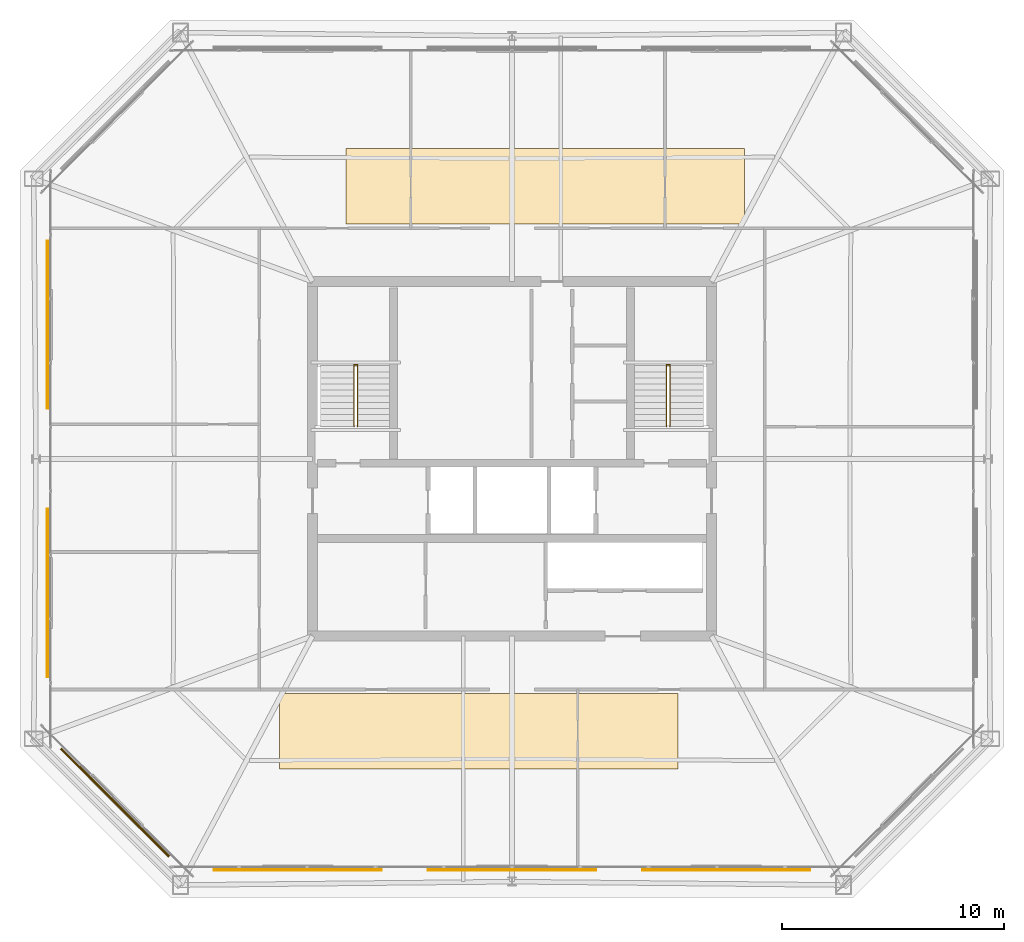
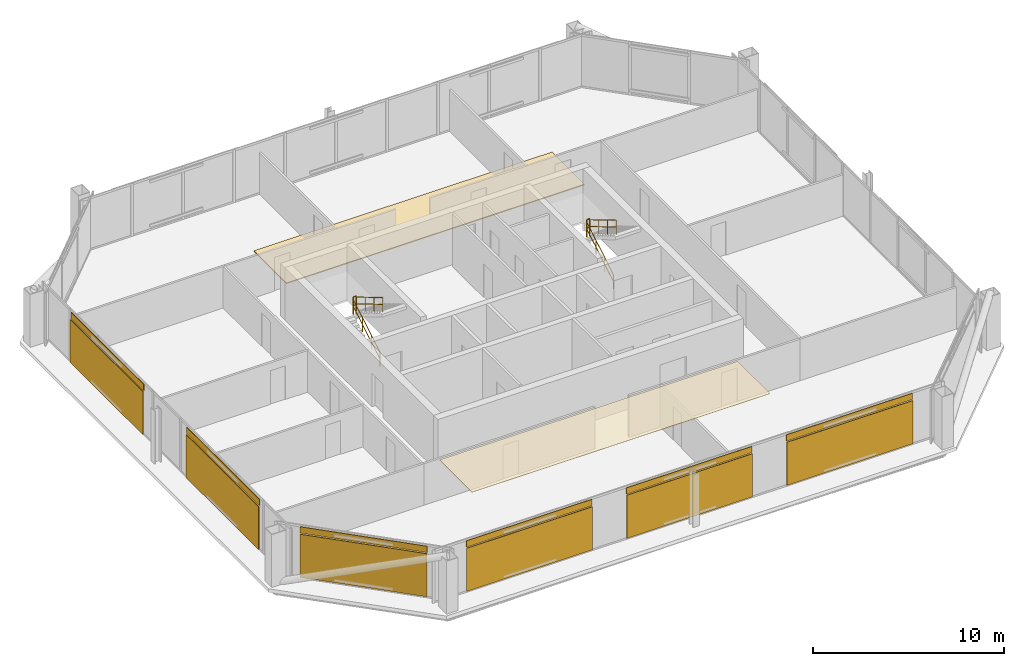
# One storey, part 38 of 39: 8 coverings, 6 railings, 6 shading devices.
"""IFC4 building model written with IfcOpenShell, lengths in metres."""

import ifcopenshell
import ifcopenshell.guid

model = None  # the IFC model being written
_history = None  # IfcOwnerHistory: only IFC2X3 demands one
_inside = {}  # id of a spatial element -> (the spatial element, [elements in it])
_under = {}  # id of a project, library or spatial element -> (it, [spatial elements below it])
_declared = {}  # id of a project -> (the project, [libraries it declares])
_typed = {}  # id of a type object -> (the type object, [elements of that type])
_made_of = {}  # id of a material, layer set ... -> (it, [elements and type objects made of it])


def new_model(schema):
    """Start an empty IFC model of exactly this schema.

    Asked for "IFC4X3", IfcOpenShell would pick the latest addendum, in which some entities
    have other attributes; the version numbers below select the first issue.
    IFC2X3 requires an IfcOwnerHistory on every rooted entity: one is made here for all.
    """
    global model, _history
    if schema == "IFC4X3":
        model = ifcopenshell.file(schema_version=(4, 3, 0, 0))
    else:
        model = ifcopenshell.file(schema=schema)
    _inside.clear()
    _under.clear()
    _declared.clear()
    _typed.clear()
    _made_of.clear()
    _history = None
    if model.schema == "IFC2X3":
        org = make("IfcOrganization", Name="unknown")
        user = make(
            "IfcPersonAndOrganization",
            ThePerson=make("IfcPerson", FamilyName="unknown"),
            TheOrganization=org,
        )
        app = make(
            "IfcApplication",
            ApplicationDeveloper=org,
            Version="unknown",
            ApplicationFullName="unknown",
            ApplicationIdentifier="unknown",
        )
        _history = make(
            "IfcOwnerHistory",
            OwningUser=user,
            OwningApplication=app,
            ChangeAction="ADDED",
            CreationDate=0,
        )
    return model


def make(cls, **values):
    """One entity of the class cls with the attributes given. An attribute that is None is left unset."""
    return model.create_entity(
        cls, **{name: value for name, value in values.items() if value is not None}
    )


def rooted(cls, **values):
    """An entity with a GlobalId (a new one), such as an element, a storey or a relation."""
    return make(cls, GlobalId=ifcopenshell.guid.new(), OwnerHistory=_history, **values)


def si_unit(unit_type, name, prefix=None):
    """IfcSIUnit, for example si_unit("LENGTHUNIT", "METRE", prefix="MILLI")."""
    return make("IfcSIUnit", UnitType=unit_type, Prefix=prefix, Name=name)


def assignment(units):
    """IfcUnitAssignment: the units of a project."""
    return None if units is None else make("IfcUnitAssignment", Units=units)


def point(xyz):
    """IfcCartesianPoint."""
    return None if xyz is None else make("IfcCartesianPoint", Coordinates=xyz)


def direction(xyz):
    """IfcDirection."""
    return None if xyz is None else make("IfcDirection", DirectionRatios=xyz)


def frame(location, z_axis=None, x_axis=None):
    """IfcAxis2Placement3D, a coordinate frame: its origin and axes. An axis left out is left unset."""
    return make(
        "IfcAxis2Placement3D",
        Location=point(location),
        Axis=direction(z_axis),
        RefDirection=direction(x_axis),
    )


def frame_2d(location, x_axis=None):
    """IfcAxis2Placement2D, a coordinate frame in the plane: its origin and x axis."""
    return make(
        "IfcAxis2Placement2D", Location=point(location), RefDirection=direction(x_axis)
    )


def origin():
    """The frame at (0, 0, 0) with its axes left unset."""
    return frame((0.0, 0.0, 0.0))


def origin_2d():
    """The frame at (0, 0) in the plane with its x axis left unset."""
    return frame_2d((0.0, 0.0))


def place(relative_to, where):
    """IfcLocalPlacement: puts the frame where relative to a parent placement (None: the world)."""
    return make(
        "IfcLocalPlacement", PlacementRelTo=relative_to, RelativePlacement=where
    )


def context(
    kind, dimensions, precision=None, world=None, true_north=None, identifier=None
):
    """IfcGeometricRepresentationContext, for example the 3D "Model" context."""
    return make(
        "IfcGeometricRepresentationContext",
        ContextIdentifier=identifier,
        ContextType=kind,
        CoordinateSpaceDimension=dimensions,
        Precision=precision,
        WorldCoordinateSystem=world,
        TrueNorth=true_north,
    )


def subcontext(parent, identifier, kind, view, scale=None):
    """IfcGeometricRepresentationSubContext, for example "Body" below "Model"."""
    return make(
        "IfcGeometricRepresentationSubContext",
        ContextIdentifier=identifier,
        ContextType=kind,
        ParentContext=parent,
        TargetScale=scale,
        TargetView=view,
    )


def project(units=None, contexts=None):
    """IfcProject with its units and contexts."""
    return rooted(
        "IfcProject",
        Name="project",
        RepresentationContexts=contexts,
        UnitsInContext=assignment(units),
    )


def spatial(cls, under=None, at=None, **own):
    """A site, building, storey or space (cls), placed at a placement, below another one or the project."""
    s = rooted(cls, ObjectPlacement=at, **own)
    if under is not None:
        _under.setdefault(under.id(), (under, []))[1].append(s)
    return s


def polyline(points):
    """IfcPolyline through the points."""
    return make("IfcPolyline", Points=[point(p) for p in points])


def profile(cls, at=None, kind="AREA", **sizes):
    """A parametric profile (cls). Its sizes go by their IFC names, for example OverallWidth=200.0."""
    return make(cls, ProfileType=kind, Position=at, **sizes)


def rectangle(**sizes):
    """IfcRectangleProfileDef."""
    return profile("IfcRectangleProfileDef", **sizes)


def circle(**sizes):
    """IfcCircleProfileDef."""
    return profile("IfcCircleProfileDef", **sizes)


def outline(outer, holes=None, kind="AREA"):
    """IfcArbitraryClosedProfileDef: a profile drawn as a closed curve; with holes, ...WithVoids."""
    if holes is None:
        return make("IfcArbitraryClosedProfileDef", ProfileType=kind, OuterCurve=outer)
    return make(
        "IfcArbitraryProfileDefWithVoids",
        ProfileType=kind,
        OuterCurve=outer,
        InnerCurves=holes,
    )


def extrude(swept, where, along, depth):
    """IfcExtrudedAreaSolid: the profile swept, set in the frame where, extruded along a direction by depth."""
    return make(
        "IfcExtrudedAreaSolid",
        SweptArea=swept,
        Position=where,
        ExtrudedDirection=direction(along),
        Depth=depth,
    )


def shape(context_of_items, identifier, shape_type, items):
    """IfcShapeRepresentation: the items that make up one representation, for example the "Body"."""
    return make(
        "IfcShapeRepresentation",
        ContextOfItems=context_of_items,
        RepresentationIdentifier=identifier,
        RepresentationType=shape_type,
        Items=items,
    )


def material(Name=None, Category=None):
    """IfcMaterial."""
    return make("IfcMaterial", Name=Name, Category=Category)


def layer(
    of_material, thickness, ventilated=None, Name=None, Category=None, Priority=None
):
    """IfcMaterialLayer: one layer of a wall or slab, of a material (None: an air gap)."""
    return make(
        "IfcMaterialLayer",
        Material=of_material,
        LayerThickness=thickness,
        IsVentilated=ventilated,
        Name=Name,
        Category=Category,
        Priority=Priority,
    )


def layer_set(layers, Name=None):
    """IfcMaterialLayerSet."""
    return make("IfcMaterialLayerSet", MaterialLayers=layers, LayerSetName=Name)


def made_of(thing, what):
    """Note that an element or type object is made of a material, layer set ...; save() writes the relation."""
    if what is not None:
        _made_of.setdefault(what.id(), (what, []))[1].append(thing)
    return thing


def type_object(cls, material=None, **own):
    """A type object (cls), such as IfcWallType, which elements share."""
    return made_of(rooted(cls, **own), material)


def element(
    cls,
    number,
    at=None,
    inside=None,
    cuts=None,
    type_object=None,
    material=None,
    context=None,
    identifier="Body",
    shape_type=None,
    held_by="IfcProductDefinitionShape",
    body=None,
    shapes=None,
    **own,
):
    """One element of the class cls, such as IfcWall. Its Tag is "e" and its number.

    at: its placement. inside: the storey or other place that contains it. cuts: it is an
    opening in that element (IfcRelVoidsElement). A single representation is given by context,
    identifier, shape_type and body (its items); several are given by shapes. held_by: the class
    of the entity that holds the representations. save() writes the other relations.
    """
    e = rooted(cls, Tag="e%d" % number, ObjectPlacement=at, **own)
    if body is not None:
        shapes = [shape(context, identifier, shape_type, body)]
    if shapes is not None:
        e.Representation = make(held_by, Representations=shapes)
    if inside is not None:
        _inside.setdefault(inside.id(), (inside, []))[1].append(e)
    if cuts is not None:
        rooted(
            "IfcRelVoidsElement", RelatingBuildingElement=cuts, RelatedOpeningElement=e
        )
    if type_object is not None:
        _typed.setdefault(type_object.id(), (type_object, []))[1].append(e)
    return made_of(e, material)


def aggregate(whole, parts):
    """IfcRelAggregates: a whole, such as a stair, and the parts it consists of."""
    return rooted("IfcRelAggregates", RelatingObject=whole, RelatedObjects=parts)


def save(model, path):
    """Write the relations noted so far, then the file.

    IfcRelAggregates (storeys below a building ...), IfcRelContainedInSpatialStructure (elements
    in a storey), IfcRelDefinesByType, IfcRelAssociatesMaterial and IfcRelDeclares: one each for
    every whole, place, type object, material and project.
    """
    for whole, parts in _under.values():
        aggregate(whole, parts)
    for where, things in _inside.values():
        rooted(
            "IfcRelContainedInSpatialStructure",
            RelatedElements=things,
            RelatingStructure=where,
        )
    for kind, things in _typed.values():
        rooted("IfcRelDefinesByType", RelatedObjects=things, RelatingType=kind)
    for what, things in _made_of.values():
        rooted("IfcRelAssociatesMaterial", RelatedObjects=things, RelatingMaterial=what)
    for by, libraries in _declared.values():
        rooted("IfcRelDeclares", RelatingContext=by, RelatedDefinitions=libraries)
    model.write(path)


model = new_model("IFC4")

# Units and contexts
model_context = context("Model", 3, precision=1e-05, world=origin(), true_north=direction((0.0, 1.0)))
body_context = subcontext(model_context, "Body", "Model", "MODEL_VIEW")
ifc_project = project(units=[si_unit("LENGTHUNIT", "METRE"), si_unit("AREAUNIT", "SQUARE_METRE"), si_unit("VOLUMEUNIT", "CUBIC_METRE"), si_unit("PLANEANGLEUNIT", "RADIAN"), si_unit("MASSUNIT", "GRAM", prefix="KILO")], contexts=[model_context])

# Site, building, storey
site_placement = place(None, origin())
site = spatial("IfcSite", under=ifc_project, at=site_placement, CompositionType="ELEMENT")
building_placement = place(site_placement, origin())
building = spatial("IfcBuilding", under=site, at=building_placement, Name="Caelvoria Tower", CompositionType="ELEMENT")
storey_placement = place(building_placement, frame((0.0, 0.0, 198.60009765625)))
storey = spatial("IfcBuildingStorey", under=building, at=storey_placement, Name="L52", CompositionType="ELEMENT", Elevation=198.60009765625)

# Coverings
ifc_material_1 = material(Name="Acoustic Mineral Fibre Tile", Category="gypsum")
ifc_layer_1 = layer(ifc_material_1, 0.02490234375, Name="Acoustic Mineral Fibre Tile")
ifc_layer_set_1 = layer_set([ifc_layer_1], Name="Mineral-Fibre Acoustic Suspended Ceiling 25 - Acoustic Mineral Fibre Tile")
covering_type_1 = type_object("IfcCoveringType", Name="Mineral-Fibre Acoustic Suspended Ceiling 25", PredefinedType="CEILING", material=ifc_layer_set_1)
covering_1_placement = place(storey_placement, frame((0.0, 0.0, 2.64990234375)))
element("IfcCovering", 1, at=covering_1_placement, inside=storey, type_object=covering_type_1, Name="Suspended Acoustic Ceiling L52", PredefinedType="CEILING", context=body_context, shape_type="SweptSolid", body=[
    extrude(outline(polyline([(35.5, 18.0), (53.5, 18.0), (53.5, 21.39990234375), (35.5, 21.39990234375), (35.5, 18.0)])), origin(), (0.0, 0.0, 1.0), 0.02490234375),
])
ifc_material_2 = material(Name="Perforated Architectural Bronze Cladding Screen", Category="bronze")
ifc_layer_2 = layer(ifc_material_2, 0.0400390625, Name="Perforated Architectural Bronze Cladding Screen")
ifc_layer_set_2 = layer_set([ifc_layer_2], Name="Perforated Bronze Louvre Cladding Band 40 - Perforated Architectural Bronze Cladding Screen")
covering_type_2 = type_object("IfcCoveringType", Name="Perforated Bronze Louvre Cladding Band 40", PredefinedType="CLADDING", material=ifc_layer_set_2)
for number, where, z_axis, x_axis, name in (
    (2, (36.333251953125, 13.47802734375, 2.954833984375), (0.0, 0.0, 1.0), (1.0, 0.0, 0.0), "Perforated Bronze Screen Band L52-E0-00"),
    (3, (46.0, 13.47802734375, 2.954833984375), (0.0, 0.0, 1.0), (1.0, 0.0, 0.0), "Perforated Bronze Screen Band L52-E0-01"),
    (4, (55.666748046875, 13.47802734375, 2.954833984375), (0.0, 0.0, 1.0), (1.0, 0.0, 0.0), "Perforated Bronze Screen Band L52-E0-02"),
    (5, (25.077880859375, 38.050048828125, 2.954833984375), (0.0, 0.0, 1.0), (0.0, -1.0, 0.0), "Perforated Bronze Screen Band L52-E6-00"),
    (6, (25.077880859375, 25.949951171875, 2.954833984375), (0.0, 0.0, 1.0), (0.0, -1.0, 0.0), "Perforated Bronze Screen Band L52-E6-01"),
):
    element("IfcCovering", number, at=place(storey_placement, frame(where, z_axis=z_axis, x_axis=x_axis)), inside=storey, type_object=covering_type_2, Name=name, PredefinedType="CLADDING", context=body_context, shape_type="SweptSolid", body=[
        extrude(rectangle(XDim=7.60009765625, YDim=0.0400390625, at=origin_2d()), origin(), (0.0, 0.0, 1.0), 0.39990234375),
    ])
covering_2_placement = place(storey_placement, frame((28.103759765625, 16.503662109375, 2.954833984375), z_axis=(0.0, 0.0, 1.0), x_axis=(0.707106781187, -0.707106781187, 0.0)))
element("IfcCovering", 7, at=covering_2_placement, inside=storey, type_object=covering_type_2, Name="Perforated Bronze Screen Band L52-E7-00", PredefinedType="CLADDING", context=body_context, shape_type="SweptSolid", body=[
    extrude(rectangle(XDim=6.878662109375, YDim=0.0400390625, at=origin_2d()), origin(), (0.0, 0.0, 1.0), 0.39990234375),
])

# Shading devices
ifc_material_3 = material(Name="Perforated Architectural Bronze Alloy Panel", Category="bronze")
ifc_layer_3 = layer(ifc_material_3, 0.044921875, Name="Perforated Architectural Bronze Alloy Panel")
ifc_layer_set_3 = layer_set([ifc_layer_3], Name="Perforated Bronze Solar Screen Panel SCREEN - Perforated Architectural Bronze Alloy Panel")
shading_device_type = type_object("IfcShadingDeviceType", Name="Perforated Bronze Solar Screen Panel SCREEN", PredefinedType="USERDEFINED", material=ifc_layer_set_3)
for number, where, z_axis, x_axis, name in (
    (8, (36.333251953125, 13.43505859375, 0.159912109375), (0.0, 0.0, 1.0), (1.0, 0.0, 0.0), "Perforated Bronze Solar Screen L52-E0-00"),
    (9, (46.0, 13.43505859375, 0.159912109375), (0.0, 0.0, 1.0), (1.0, 0.0, 0.0), "Perforated Bronze Solar Screen L52-E0-01"),
    (10, (55.666748046875, 13.43505859375, 0.159912109375), (0.0, 0.0, 1.0), (1.0, 0.0, 0.0), "Perforated Bronze Solar Screen L52-E0-02"),
    (11, (25.034912109375, 38.050048828125, 0.159912109375), (0.0, 0.0, 1.0), (0.0, -1.0, 0.0), "Perforated Bronze Solar Screen L52-E6-00"),
    (12, (25.034912109375, 25.949951171875, 0.159912109375), (0.0, 0.0, 1.0), (0.0, -1.0, 0.0), "Perforated Bronze Solar Screen L52-E6-01"),
):
    element("IfcShadingDevice", number, at=place(storey_placement, frame(where, z_axis=z_axis, x_axis=x_axis)), inside=storey, type_object=shading_device_type, Name=name, ObjectType="SCREEN", PredefinedType="USERDEFINED", context=body_context, shape_type="SweptSolid", body=[
        extrude(rectangle(XDim=7.60009765625, YDim=0.044921875, at=origin_2d()), origin(), (0.0, 0.0, 1.0), 2.75),
    ])
shading_device_placement = place(storey_placement, frame((28.0732421875, 16.473388671875, 0.159912109375), z_axis=(0.0, 0.0, 1.0), x_axis=(0.707106781187, -0.707106781187, 0.0)))
element("IfcShadingDevice", 13, at=shading_device_placement, inside=storey, type_object=shading_device_type, Name="Perforated Bronze Solar Screen L52-E7-00", ObjectType="SCREEN", PredefinedType="USERDEFINED", context=body_context, shape_type="SweptSolid", body=[
    extrude(rectangle(XDim=6.878662109375, YDim=0.044921875, at=origin_2d()), origin(), (0.0, 0.0, 1.0), 2.75),
])

# Covering
ifc_material_4 = material(Name="Calcium-Sulphate Raised Floor Tile", Category="gypsum")
ifc_layer_4 = layer(ifc_material_4, 0.06005859375, Name="Calcium-Sulphate Raised Floor Tile")
ifc_layer_set_4 = layer_set([ifc_layer_4], Name="Raised Access Office Floor System 120 - Calcium-Sulphate Raised Floor Tile")
covering_type_3 = type_object("IfcCoveringType", Name="Raised Access Office Floor System 120", PredefinedType="FLOORING", material=ifc_layer_set_4)
covering_3_placement = place(storey_placement, origin())
element("IfcCovering", 14, at=covering_3_placement, inside=storey, type_object=covering_type_3, Name="Raised Access Flooring L52", PredefinedType="FLOORING", context=body_context, shape_type="SweptSolid", body=[
    extrude(outline(polyline([(38.5, 42.60009765625), (56.5, 42.60009765625), (56.5, 46.0), (38.5, 46.0), (38.5, 42.60009765625)])), origin(), (0.0, 0.0, 1.0), 0.059814453125),
])

# Railings
ifc_material_5 = material(Name="Brushed Stainless Steel Tube", Category="steel")
railing_type_1 = type_object("IfcRailingType", Name="Stair Tubular Stainless Handrail 920", PredefinedType="HANDRAIL", material=ifc_material_5)
railing_1_placement = place(storey_placement, frame((38.8701171875, 33.449951171875, 0.16357421875)))
element("IfcRailing", 15, at=railing_1_placement, inside=storey, type_object=railing_type_1, Name="ST-01 Flight 1 Handrail L52", PredefinedType="HANDRAIL", context=body_context, shape_type="SweptSolid", body=[
    extrude(circle(Radius=0.02392578125, at=origin_2d()), frame((0.0, 0.0, 0.89599609375), z_axis=(0.0, 0.859385484447, 0.511328259656), x_axis=(-1.0, 0.0, 0.0)), (0.0, 0.0, 1.0), 3.199951171875),
    extrude(circle(Radius=0.02392578125, at=origin_2d()), frame((0.0, 0.0, 0.4599609375), z_axis=(0.0, 0.859385484447, 0.511328259656), x_axis=(-1.0, 0.0, 0.0)), (0.0, 0.0, 1.0), 3.199951171875),
    extrude(circle(Radius=0.02099609375, at=origin_2d()), origin(), (0.0, 0.0, 1.0), 0.871826171875),
    extrude(circle(Radius=0.02099609375, at=origin_2d()), frame((0.0, 0.916748046875, 0.54541015625)), (0.0, 0.0, 1.0), 0.871826171875),
    extrude(circle(Radius=0.02099609375, at=origin_2d()), frame((0.0, 1.833251953125, 1.0908203125)), (0.0, 0.0, 1.0), 0.871826171875),
    extrude(circle(Radius=0.02099609375, at=origin_2d()), frame((0.0, 2.75, 1.63623046875)), (0.0, 0.0, 1.0), 0.871826171875),
])
railing_2_placement = place(storey_placement, frame((39.030029296875, 36.199951171875, 1.963623046875)))
element("IfcRailing", 16, at=railing_2_placement, inside=storey, type_object=railing_type_1, Name="ST-01 Flight 2 Handrail L52", PredefinedType="HANDRAIL", context=body_context, shape_type="SweptSolid", body=[
    extrude(circle(Radius=0.02392578125, at=origin_2d()), frame((0.0, 0.0, 0.89599609375), z_axis=(0.0, -0.859385484447, 0.511328259656), x_axis=(1.0, 0.0, 0.0)), (0.0, 0.0, 1.0), 3.199951171875),
    extrude(circle(Radius=0.02392578125, at=origin_2d()), frame((0.0, 0.0, 0.4599609375), z_axis=(0.0, -0.859385484447, 0.511328259656), x_axis=(1.0, 0.0, 0.0)), (0.0, 0.0, 1.0), 3.199951171875),
    extrude(circle(Radius=0.02099609375, at=origin_2d()), origin(), (0.0, 0.0, 1.0), 0.871826171875),
    extrude(circle(Radius=0.02099609375, at=origin_2d()), frame((0.0, -0.916748046875, 0.54541015625)), (0.0, 0.0, 1.0), 0.871826171875),
    extrude(circle(Radius=0.02099609375, at=origin_2d()), frame((0.0, -1.833251953125, 1.0908203125)), (0.0, 0.0, 1.0), 0.871826171875),
    extrude(circle(Radius=0.02099609375, at=origin_2d()), frame((0.0, -2.75, 1.63623046875)), (0.0, 0.0, 1.0), 0.871826171875),
])
railing_3_placement = place(storey_placement, frame((52.969970703125, 33.449951171875, 0.16357421875)))
element("IfcRailing", 17, at=railing_3_placement, inside=storey, type_object=railing_type_1, Name="ST-02 Flight 1 Handrail L52", PredefinedType="HANDRAIL", context=body_context, shape_type="SweptSolid", body=[
    extrude(circle(Radius=0.02392578125, at=origin_2d()), frame((0.0, 0.0, 0.89599609375), z_axis=(0.0, 0.859385484447, 0.511328259656), x_axis=(-1.0, 0.0, 0.0)), (0.0, 0.0, 1.0), 3.199951171875),
    extrude(circle(Radius=0.02392578125, at=origin_2d()), frame((0.0, 0.0, 0.4599609375), z_axis=(0.0, 0.859385484447, 0.511328259656), x_axis=(-1.0, 0.0, 0.0)), (0.0, 0.0, 1.0), 3.199951171875),
    extrude(circle(Radius=0.02099609375, at=origin_2d()), origin(), (0.0, 0.0, 1.0), 0.871826171875),
    extrude(circle(Radius=0.02099609375, at=origin_2d()), frame((0.0, 0.916748046875, 0.54541015625)), (0.0, 0.0, 1.0), 0.871826171875),
    extrude(circle(Radius=0.02099609375, at=origin_2d()), frame((0.0, 1.833251953125, 1.0908203125)), (0.0, 0.0, 1.0), 0.871826171875),
    extrude(circle(Radius=0.02099609375, at=origin_2d()), frame((0.0, 2.75, 1.63623046875)), (0.0, 0.0, 1.0), 0.871826171875),
])
railing_4_placement = place(storey_placement, frame((53.1298828125, 36.199951171875, 1.963623046875)))
element("IfcRailing", 18, at=railing_4_placement, inside=storey, type_object=railing_type_1, Name="ST-02 Flight 2 Handrail L52", PredefinedType="HANDRAIL", context=body_context, shape_type="SweptSolid", body=[
    extrude(circle(Radius=0.02392578125, at=origin_2d()), frame((0.0, 0.0, 0.89599609375), z_axis=(0.0, -0.859385484447, 0.511328259656), x_axis=(1.0, 0.0, 0.0)), (0.0, 0.0, 1.0), 3.199951171875),
    extrude(circle(Radius=0.02392578125, at=origin_2d()), frame((0.0, 0.0, 0.4599609375), z_axis=(0.0, -0.859385484447, 0.511328259656), x_axis=(1.0, 0.0, 0.0)), (0.0, 0.0, 1.0), 3.199951171875),
    extrude(circle(Radius=0.02099609375, at=origin_2d()), origin(), (0.0, 0.0, 1.0), 0.871826171875),
    extrude(circle(Radius=0.02099609375, at=origin_2d()), frame((0.0, -0.916748046875, 0.54541015625)), (0.0, 0.0, 1.0), 0.871826171875),
    extrude(circle(Radius=0.02099609375, at=origin_2d()), frame((0.0, -1.833251953125, 1.0908203125)), (0.0, 0.0, 1.0), 0.871826171875),
    extrude(circle(Radius=0.02099609375, at=origin_2d()), frame((0.0, -2.75, 1.63623046875)), (0.0, 0.0, 1.0), 0.871826171875),
])
ifc_material_6 = material(Name="Brushed Stainless Steel Guardrail", Category="steel")
railing_type_2 = type_object("IfcRailingType", Name="Stair Well and Ramp Guardrail 1120", PredefinedType="GUARDRAIL", material=ifc_material_6)
for number, where, name in (
    (19, (38.8701171875, 36.239990234375, 1.7998046875), "ST-01 Half-Landing Well Guard L52"),
    (20, (52.969970703125, 36.239990234375, 1.7998046875), "ST-02 Half-Landing Well Guard L52"),
):
    element("IfcRailing", number, at=place(storey_placement, frame(where)), inside=storey, type_object=railing_type_2, Name=name, PredefinedType="GUARDRAIL", context=body_context, shape_type="SweptSolid", body=[
        extrude(circle(Radius=0.02392578125, at=origin_2d()), frame((0.0, 0.0, 1.09619140625), z_axis=(1.0, 0.0, 0.0), x_axis=(0.0, 1.0, 0.0)), (0.0, 0.0, 1.0), 0.159912109375),
        extrude(circle(Radius=0.02392578125, at=origin_2d()), frame((0.0, 0.0, 0.56005859375), z_axis=(1.0, 0.0, 0.0), x_axis=(0.0, 1.0, 0.0)), (0.0, 0.0, 1.0), 0.159912109375),
        extrude(circle(Radius=0.02099609375, at=origin_2d()), origin(), (0.0, 0.0, 1.0), 1.072021484375),
        extrude(circle(Radius=0.02099609375, at=origin_2d()), frame((0.159912109375, 0.0, 0.0)), (0.0, 0.0, 1.0), 1.072021484375),
    ])

save(model, "model.ifc")
